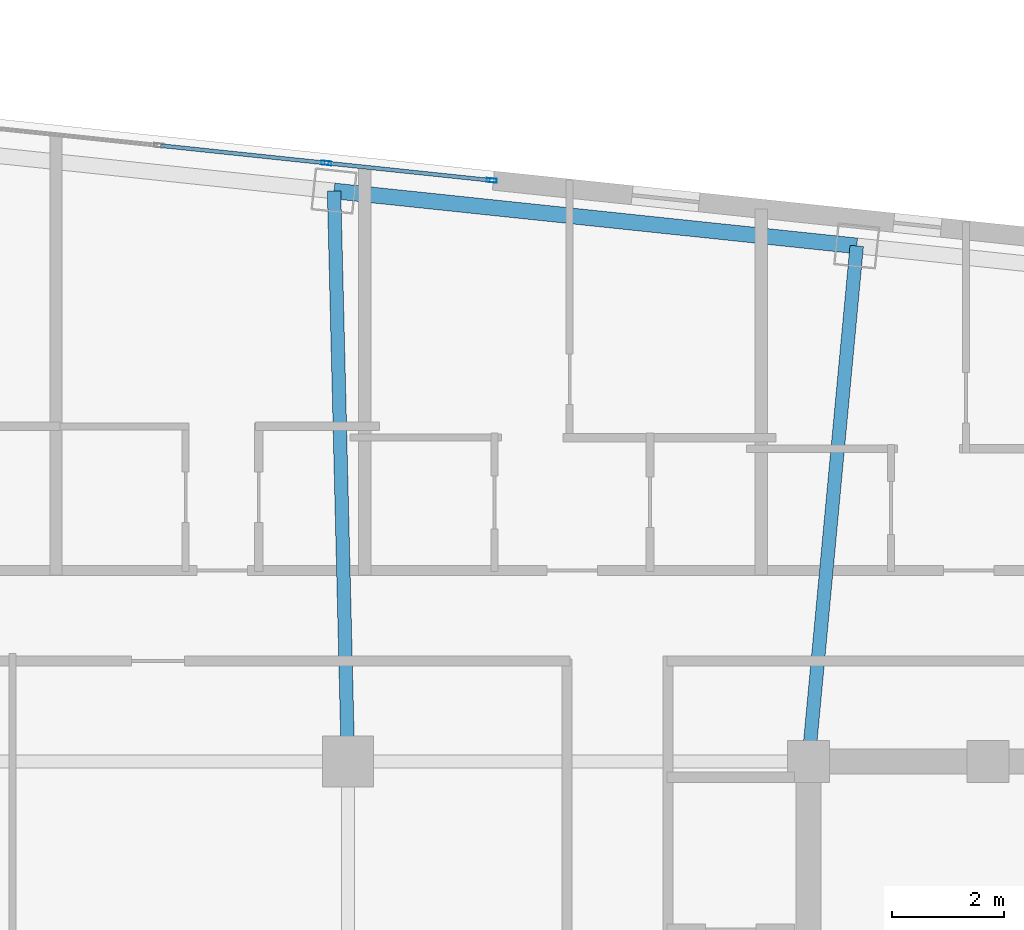
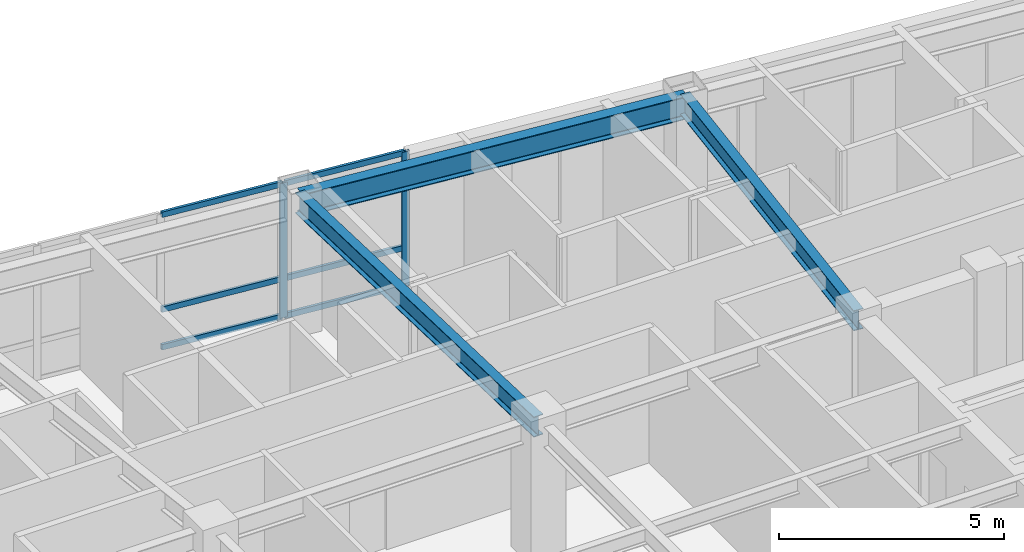
# One storey, part 13 of 23: 8 members, 3 beams, 1 element without a shape of its own.
"""IFC4 building model written with IfcOpenShell, lengths in metres."""

from ifc_helpers import new_model, si_unit, direction, frame, origin, origin_2d, place, context, subcontext, project, spatial, hollow_rectangle, i_section, extrude, material, layer, layer_set, material_profile, profile_set, type_object, element, aggregate, save


model = new_model("IFC4")

# Units and contexts
model_context = context("Model", 3, precision=1e-05, world=origin(), true_north=direction((0.0, 1.0)))
body_context = subcontext(model_context, "Body", "Model", "MODEL_VIEW")
ifc_project = project(units=[si_unit("LENGTHUNIT", "METRE"), si_unit("AREAUNIT", "SQUARE_METRE"), si_unit("VOLUMEUNIT", "CUBIC_METRE"), si_unit("PLANEANGLEUNIT", "RADIAN"), si_unit("MASSUNIT", "GRAM", prefix="KILO")], contexts=[model_context])

# Site, building, storey
site_placement = place(None, origin())
site = spatial("IfcSite", under=ifc_project, at=site_placement, CompositionType="ELEMENT")
building_placement = place(site_placement, origin())
building = spatial("IfcBuilding", under=site, at=building_placement, Name="Voryun Gate Residences", CompositionType="ELEMENT")
storey_placement = place(building_placement, frame((0.0, 0.0, 275.60009765625)))
storey = spatial("IfcBuildingStorey", under=building, at=storey_placement, Name="L68", CompositionType="ELEMENT", Elevation=275.60009765625)

# Beams
ifc_material_1 = material(Name="Steel SM355", Category="steel")
ifc_material_profile_1 = material_profile(ifc_material_1, i_section(OverallWidth=0.280029296875, OverallDepth=0.6201171875, WebThickness=0.013916015625, FlangeThickness=0.02197265625, FilletRadius=0.01806640625, at=origin_2d()), Name="H-620x280x14x22")
ifc_profile_set_1 = profile_set([ifc_material_profile_1], Name="Steel SM355")
beam_type_1 = type_object("IfcBeamType", Name="BM_EXO_SPANDREL_H", PredefinedType="SPANDREL", material=ifc_profile_set_1)
beam_1_placement = place(storey_placement, frame((13.26025390625, 16.5830078125, 3.33984375), z_axis=(-0.994523018663, 0.104517775278, 0.0), x_axis=(-0.104517775278, -0.994523018663, 0.0)))
element("IfcBeam", 1, at=beam_1_placement, inside=storey, type_object=beam_type_1, Name="BM-L68-SPAND-12", PredefinedType="SPANDREL", context=body_context, shape_type="SweptSolid", body=[
    extrude(i_section(OverallWidth=0.280029296875, OverallDepth=0.6201171875, WebThickness=0.013916015625, FlangeThickness=0.02197265625, FilletRadius=0.01806640625, at=origin_2d()), origin(), (0.0, 0.0, 1.0), 9.35986328125),
])
ifc_material_2 = material(Name="Steel SM355", Category="steel")
ifc_material_profile_2 = material_profile(ifc_material_2, i_section(OverallWidth=0.239990234375, OverallDepth=0.550048828125, WebThickness=0.011962890625, FlangeThickness=0.02001953125, FilletRadius=0.01806640625, at=origin_2d()), Name="H-550x240x12x20")
ifc_profile_set_2 = profile_set([ifc_material_profile_2], Name="Steel SM355")
beam_type_2 = type_object("IfcBeamType", Name="BM_GIRD_550", PredefinedType="USERDEFINED", material=ifc_profile_set_2)
beam_2_placement = place(storey_placement, frame((12.39990234375, 7.39990234375, 3.375), z_axis=(0.093280030115, 0.995639912811, 0.0), x_axis=(-0.995639912811, 0.093280030115, 0.0)))
element("IfcBeam", 2, at=beam_2_placement, inside=storey, type_object=beam_type_2, Name="BM-L68-RAD-N2", ObjectType="GIRDER", PredefinedType="USERDEFINED", context=body_context, shape_type="SweptSolid", body=[
    extrude(i_section(OverallWidth=0.239990234375, OverallDepth=0.550048828125, WebThickness=0.011962890625, FlangeThickness=0.02001953125, FilletRadius=0.01806640625, at=origin_2d()), origin(), (0.0, 0.0, 1.0), 9.223388671875),
])
beam_3_placement = place(storey_placement, frame((4.199951171875, 7.39990234375, 3.375), z_axis=(-0.024427489288, 0.999701604364, 0.0), x_axis=(-0.999701604364, -0.024427489288, 0.0)))
element("IfcBeam", 3, at=beam_3_placement, inside=storey, type_object=beam_type_2, Name="BM-L68-RAD-N3", ObjectType="GIRDER", PredefinedType="USERDEFINED", context=body_context, shape_type="SweptSolid", body=[
    extrude(i_section(OverallWidth=0.239990234375, OverallDepth=0.550048828125, WebThickness=0.011962890625, FlangeThickness=0.02001953125, FilletRadius=0.01806640625, at=origin_2d()), origin(), (0.0, 0.0, 1.0), 10.164306640625),
])

# Curtain wall, members
ifc_material_3 = material(Name="Anodised aluminium", Category="aluminium")
ifc_layer = layer(ifc_material_3, 0.18994140625, Name="CW_SYS_RES_B_DARK_GLASS")
ifc_layer_set = layer_set([ifc_layer], Name="Anodised aluminium")
curtain_wall_type = type_object("IfcCurtainWallType", Name="CW_SYS_RES_B_DARK_GLASS", PredefinedType="NOTDEFINED", material=ifc_layer_set)
curtain_wall_placement = place(storey_placement, origin())
curtain_wall = element("IfcCurtainWall", 4, at=curtain_wall_placement, inside=storey, type_object=curtain_wall_type, Name="Curtain wall CWT-L68-11", PredefinedType="NOTDEFINED")
ifc_material_4 = material(Name="Anodised aluminium", Category="aluminium")
ifc_material_profile_3 = material_profile(ifc_material_4, hollow_rectangle(XDim=0.070068359375, YDim=0.179931640625, WallThickness=0.00390625, at=origin_2d()), Name="ALU-MULL-180x70x4")
ifc_profile_set_3 = profile_set([ifc_material_profile_3], Name="Anodised aluminium")
member_type_1 = type_object("IfcMemberType", Name="CW_MULL_RES", PredefinedType="MULLION", material=ifc_profile_set_3)
member_1_placement = place(storey_placement, frame((3.812255859375, 18.05859375, 0.0), z_axis=(0.0, 0.0, 1.0), x_axis=(0.104528604386, 0.994521880536, 0.0)))
member_1 = element("IfcMember", 5, at=member_1_placement, type_object=member_type_1, Name="CW4 mullion 5", PredefinedType="MULLION", context=body_context, shape_type="SweptSolid", body=[
    extrude(hollow_rectangle(XDim=0.070068359375, YDim=0.179931640625, WallThickness=0.00390625, at=origin_2d()), origin(), (0.0, 0.0, 1.0), 3.64990234375),
])
member_2_placement = place(storey_placement, frame((6.75927734375, 17.7490234375, 0.0), z_axis=(0.0, 0.0, 1.0), x_axis=(0.104528604386, 0.994521880536, 0.0)))
member_2 = element("IfcMember", 6, at=member_2_placement, type_object=member_type_1, Name="CW4 mullion 6", PredefinedType="MULLION", context=body_context, shape_type="SweptSolid", body=[
    extrude(hollow_rectangle(XDim=0.070068359375, YDim=0.179931640625, WallThickness=0.00390625, at=origin_2d()), origin(), (0.0, 0.0, 1.0), 3.64990234375),
])
ifc_material_5 = material(Name="Anodised aluminium", Category="aluminium")
ifc_material_profile_4 = material_profile(ifc_material_5, hollow_rectangle(XDim=0.070068359375, YDim=0.14990234375, WallThickness=0.00390625, at=origin_2d()), Name="ALU-TRAN-150x70x4")
ifc_profile_set_4 = profile_set([ifc_material_profile_4], Name="Anodised aluminium")
member_type_2 = type_object("IfcMemberType", Name="CW_TRAN_RES", PredefinedType="USERDEFINED", material=ifc_profile_set_4)
member_3_placement = place(storey_placement, frame((0.865478515625, 18.368408203125, 0.02978515625), z_axis=(0.994520038301, -0.104546130575, 0.0), x_axis=(0.104546130575, 0.994520038301, 0.0)))
member_3 = element("IfcMember", 7, at=member_3_placement, type_object=member_type_2, Name="CW4 transom 4.1", ObjectType="TRANSOM", PredefinedType="USERDEFINED", context=body_context, shape_type="SweptSolid", body=[
    extrude(hollow_rectangle(XDim=0.070068359375, YDim=0.14990234375, WallThickness=0.00390625, at=origin_2d()), origin(), (0.0, 0.0, 1.0), 2.93310546875),
])
member_4_placement = place(storey_placement, frame((0.865478515625, 18.368408203125, 1.0498046875), z_axis=(0.994520038301, -0.104546130575, 0.0), x_axis=(0.104546130575, 0.994520038301, 0.0)))
member_4 = element("IfcMember", 8, at=member_4_placement, type_object=member_type_2, Name="CW4 transom 4.2", ObjectType="TRANSOM", PredefinedType="USERDEFINED", context=body_context, shape_type="SweptSolid", body=[
    extrude(hollow_rectangle(XDim=0.070068359375, YDim=0.14990234375, WallThickness=0.00390625, at=origin_2d()), origin(), (0.0, 0.0, 1.0), 2.93310546875),
])
member_5_placement = place(storey_placement, frame((0.865478515625, 18.368408203125, 3.619873046875), z_axis=(0.994520038301, -0.104546130575, 0.0), x_axis=(0.104546130575, 0.994520038301, 0.0)))
member_5 = element("IfcMember", 9, at=member_5_placement, type_object=member_type_2, Name="CW4 transom 4.3", ObjectType="TRANSOM", PredefinedType="USERDEFINED", context=body_context, shape_type="SweptSolid", body=[
    extrude(hollow_rectangle(XDim=0.070068359375, YDim=0.14990234375, WallThickness=0.00390625, at=origin_2d()), origin(), (0.0, 0.0, 1.0), 2.93310546875),
])
member_6_placement = place(storey_placement, frame((3.84228515625, 18.055419921875, 0.02978515625), z_axis=(0.994520650134, -0.1045403102, 0.0), x_axis=(0.1045403102, 0.994520650134, 0.0)))
member_6 = element("IfcMember", 10, at=member_6_placement, type_object=member_type_2, Name="CW4 transom 5.1", ObjectType="TRANSOM", PredefinedType="USERDEFINED", context=body_context, shape_type="SweptSolid", body=[
    extrude(hollow_rectangle(XDim=0.070068359375, YDim=0.14990234375, WallThickness=0.00390625, at=origin_2d()), origin(), (0.0, 0.0, 1.0), 2.90283203125),
])
member_7_placement = place(storey_placement, frame((3.84228515625, 18.055419921875, 1.0498046875), z_axis=(0.994520650134, -0.1045403102, 0.0), x_axis=(0.1045403102, 0.994520650134, 0.0)))
member_7 = element("IfcMember", 11, at=member_7_placement, type_object=member_type_2, Name="CW4 transom 5.2", ObjectType="TRANSOM", PredefinedType="USERDEFINED", context=body_context, shape_type="SweptSolid", body=[
    extrude(hollow_rectangle(XDim=0.070068359375, YDim=0.14990234375, WallThickness=0.00390625, at=origin_2d()), origin(), (0.0, 0.0, 1.0), 2.90283203125),
])
member_8_placement = place(storey_placement, frame((3.84228515625, 18.055419921875, 3.619873046875), z_axis=(0.994520650134, -0.1045403102, 0.0), x_axis=(0.1045403102, 0.994520650134, 0.0)))
member_8 = element("IfcMember", 12, at=member_8_placement, type_object=member_type_2, Name="CW4 transom 5.3", ObjectType="TRANSOM", PredefinedType="USERDEFINED", context=body_context, shape_type="SweptSolid", body=[
    extrude(hollow_rectangle(XDim=0.070068359375, YDim=0.14990234375, WallThickness=0.00390625, at=origin_2d()), origin(), (0.0, 0.0, 1.0), 2.90283203125),
])
aggregate(curtain_wall, [member_1, member_2, member_3, member_4, member_5, member_6, member_7, member_8])

save(model, "model.ifc")
